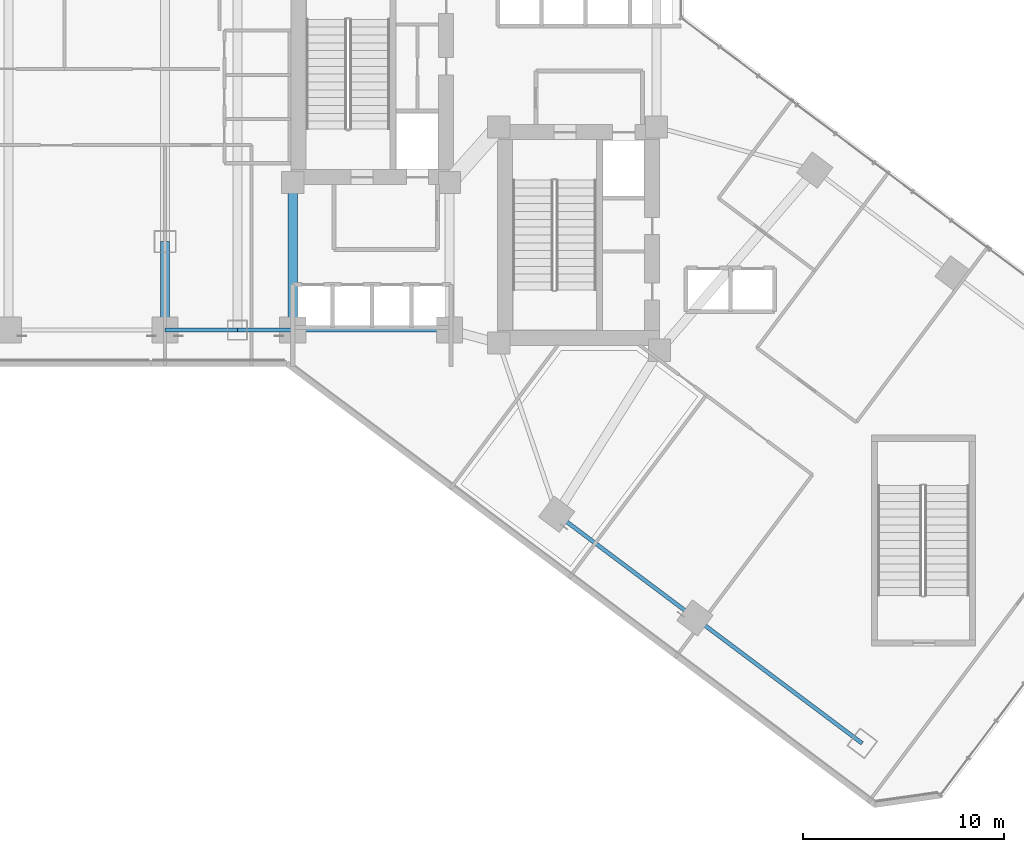
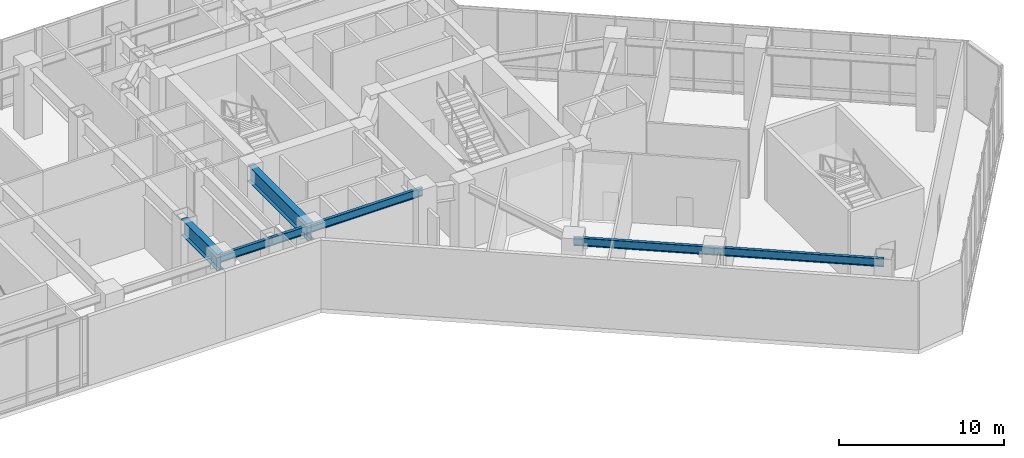
# One storey, part 4 of 35: 7 beams.
"""IFC4 building model written with IfcOpenShell, lengths in metres."""

from ifc_helpers import new_model, si_unit, direction, frame, origin, origin_2d, place, context, subcontext, project, spatial, i_section, extrude, material, material_profile, profile_set, type_object, element, save


model = new_model("IFC4")

# Units and contexts
model_context = context("Model", 3, precision=1e-05, world=origin(), true_north=direction((0.0, 1.0)))
body_context = subcontext(model_context, "Body", "Model", "MODEL_VIEW")
ifc_project = project(units=[si_unit("LENGTHUNIT", "METRE"), si_unit("AREAUNIT", "SQUARE_METRE"), si_unit("VOLUMEUNIT", "CUBIC_METRE"), si_unit("PLANEANGLEUNIT", "RADIAN"), si_unit("MASSUNIT", "GRAM", prefix="KILO")], contexts=[model_context])

# Site, building, storey
site_placement = place(None, origin())
site = spatial("IfcSite", under=ifc_project, at=site_placement, CompositionType="ELEMENT")
building_placement = place(site_placement, origin())
building = spatial("IfcBuilding", under=site, at=building_placement, Name="Hatsunagi Terrace Concourse", CompositionType="ELEMENT")
storey_placement = place(building_placement, frame((0.0, 0.0, 16.199951171875)))
storey = spatial("IfcBuildingStorey", under=building, at=storey_placement, Name="L04", CompositionType="ELEMENT", Elevation=16.199951171875)

# Beams
ifc_material_1 = material(Name="Steel SN490B", Category="steel")
ifc_material_profile_1 = material_profile(ifc_material_1, i_section(OverallWidth=0.199951171875, OverallDepth=0.60009765625, WebThickness=0.010986328125, FlangeThickness=0.01708984375, FilletRadius=0.01806640625, at=origin_2d()), Name="H-600x200x11x17")
ifc_profile_set_1 = profile_set([ifc_material_profile_1], Name="Steel SN490B")
beam_type_1 = type_object("IfcBeamType", Name="PerimeterSpandrel_H_600x200", PredefinedType="SPANDREL", material=ifc_profile_set_1)
beam_1_placement = place(storey_placement, frame((19.199951171875, 25.199951171875, 4.800048828125), z_axis=(1.0, 0.0, 0.0), x_axis=(0.0, 1.0, 0.0)))
element("IfcBeam", 1, at=beam_1_placement, inside=storey, type_object=beam_type_1, Name="Beam SP-01 BM-L04-WS-19", PredefinedType="SPANDREL", context=body_context, shape_type="SweptSolid", body=[
    extrude(i_section(OverallWidth=0.199951171875, OverallDepth=0.60009765625, WebThickness=0.010986328125, FlangeThickness=0.01708984375, FilletRadius=0.01806640625, at=origin_2d()), origin(), (0.0, 0.0, 1.0), 3.60009765625),
])
beam_2_placement = place(storey_placement, frame((22.800048828125, 25.199951171875, 4.800048828125), z_axis=(1.0, 0.0, 0.0), x_axis=(0.0, 1.0, 0.0)))
element("IfcBeam", 2, at=beam_2_placement, inside=storey, type_object=beam_type_1, Name="Beam SP-01 BM-L04-WS-22", PredefinedType="SPANDREL", context=body_context, shape_type="SweptSolid", body=[
    extrude(i_section(OverallWidth=0.199951171875, OverallDepth=0.60009765625, WebThickness=0.010986328125, FlangeThickness=0.01708984375, FilletRadius=0.01806640625, at=origin_2d()), origin(), (0.0, 0.0, 1.0), 2.75),
])
beam_3_placement = place(storey_placement, frame((25.550048828125, 25.199951171875, 4.800048828125), z_axis=(1.0, 0.0, 0.0), x_axis=(0.0, 1.0, 0.0)))
element("IfcBeam", 3, at=beam_3_placement, inside=storey, type_object=beam_type_1, Name="Beam SP-01 BM-L04-WS-25", PredefinedType="SPANDREL", context=body_context, shape_type="SweptSolid", body=[
    extrude(i_section(OverallWidth=0.199951171875, OverallDepth=0.60009765625, WebThickness=0.010986328125, FlangeThickness=0.01708984375, FilletRadius=0.01806640625, at=origin_2d()), origin(), (0.0, 0.0, 1.0), 7.800048828125),
])
beam_4_placement = place(storey_placement, frame((38.679931640625, 16.0400390625, 4.800048828125), z_axis=(0.799996593451, -0.600004542038, 0.0), x_axis=(0.600004542038, 0.799996593451, 0.0)))
element("IfcBeam", 4, at=beam_4_placement, inside=storey, type_object=beam_type_1, Name="Beam SP-01 BM-L04-SE-SW2", PredefinedType="SPANDREL", context=body_context, shape_type="SweptSolid", body=[
    extrude(i_section(OverallWidth=0.199951171875, OverallDepth=0.60009765625, WebThickness=0.010986328125, FlangeThickness=0.01708984375, FilletRadius=0.01806640625, at=origin_2d()), origin(), (0.0, 0.0, 1.0), 8.60009765625),
])
beam_5_placement = place(storey_placement, frame((45.56005859375, 10.8798828125, 4.800048828125), z_axis=(0.799994365871, -0.600007512099, 0.0), x_axis=(0.600007512099, 0.799994365871, 0.0)))
element("IfcBeam", 5, at=beam_5_placement, inside=storey, type_object=beam_type_1, Name="Beam SP-01 BM-L04-SE-SW3", PredefinedType="SPANDREL", context=body_context, shape_type="SweptSolid", body=[
    extrude(i_section(OverallWidth=0.199951171875, OverallDepth=0.60009765625, WebThickness=0.010986328125, FlangeThickness=0.01708984375, FilletRadius=0.01806640625, at=origin_2d()), origin(), (0.0, 0.0, 1.0), 10.39990234375),
])
ifc_material_2 = material(Name="Steel SN490B", Category="steel")
ifc_material_profile_2 = material_profile(ifc_material_2, i_section(OverallWidth=0.449951171875, OverallDepth=1.199951171875, WebThickness=0.02490234375, FlangeThickness=0.035888671875, at=origin_2d()), Name="BH-1200x450x25x36")
ifc_profile_set_2 = profile_set([ifc_material_profile_2], Name="Steel SN490B")
beam_type_2 = type_object("IfcBeamType", Name="PodiumHallGirder_BH_1200x450x25x36", PredefinedType="BEAM", material=ifc_profile_set_2)
beam_6_placement = place(storey_placement, frame((25.550048828125, 25.199951171875, 4.5), z_axis=(0.0, 1.0, 0.0), x_axis=(-1.0, 0.0, 0.0)))
element("IfcBeam", 6, at=beam_6_placement, inside=storey, type_object=beam_type_2, Name="Beam G-01 BM-L04-K1CA", PredefinedType="BEAM", context=body_context, shape_type="SweptSolid", body=[
    extrude(i_section(OverallWidth=0.449951171875, OverallDepth=1.199951171875, WebThickness=0.02490234375, FlangeThickness=0.035888671875, at=origin_2d()), origin(), (0.0, 0.0, 1.0), 7.35009765625),
])
beam_7_placement = place(storey_placement, frame((19.199951171875, 25.199951171875, 4.5), z_axis=(0.0, 1.0, 0.0), x_axis=(-1.0, 0.0, 0.0)))
element("IfcBeam", 7, at=beam_7_placement, inside=storey, type_object=beam_type_2, Name="Beam G-01 BM-L04-NS-19-25", PredefinedType="BEAM", context=body_context, shape_type="SweptSolid", body=[
    extrude(i_section(OverallWidth=0.449951171875, OverallDepth=1.199951171875, WebThickness=0.02490234375, FlangeThickness=0.035888671875, at=origin_2d()), origin(), (0.0, 0.0, 1.0), 4.400146484375),
])

save(model, "model.ifc")
